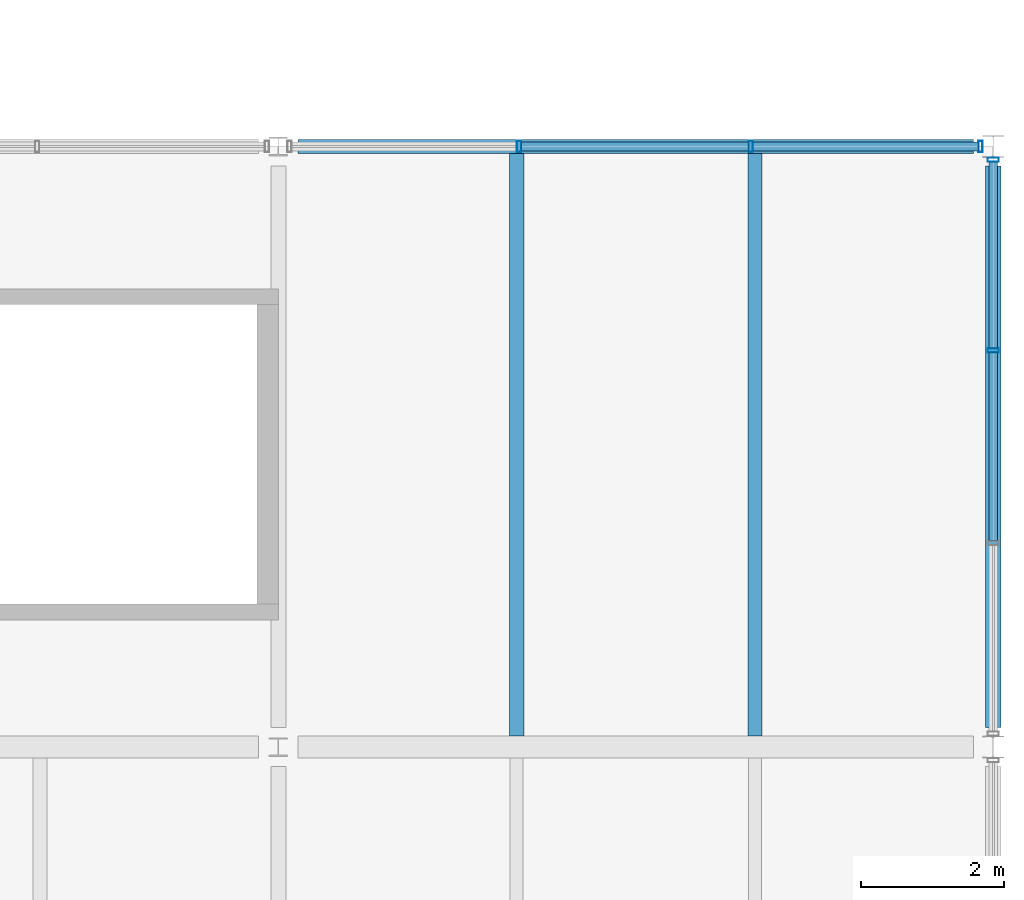
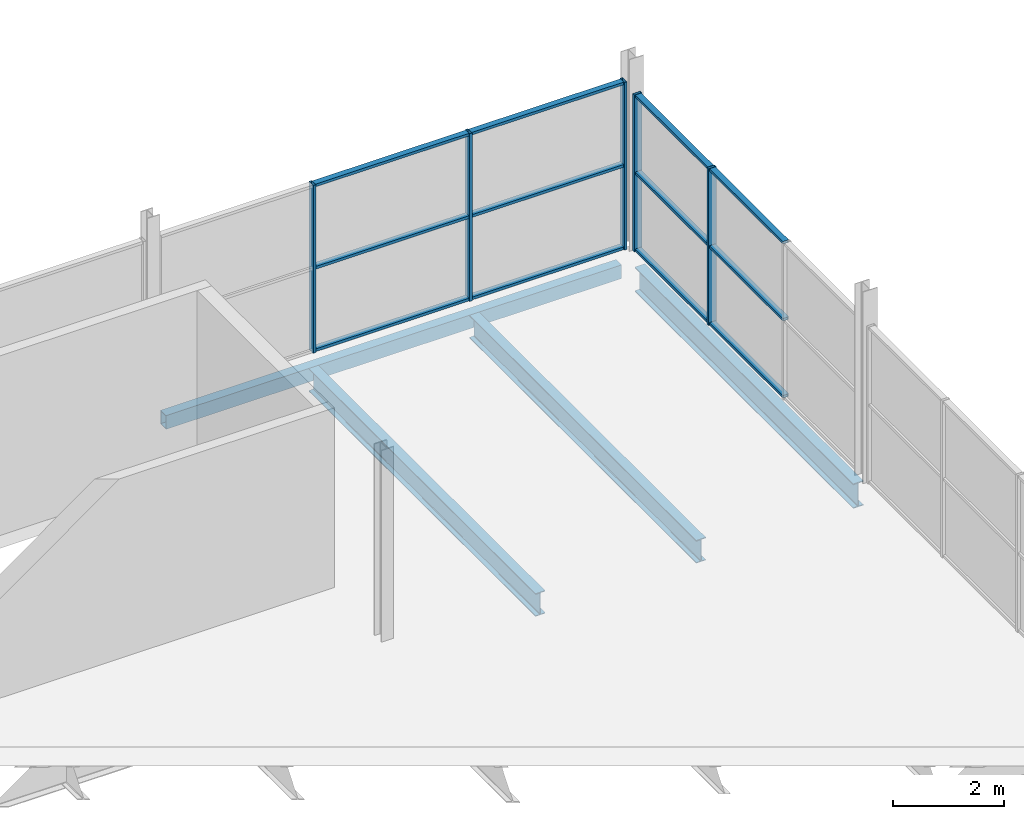
# One storey, part 121 of 161: 17 members, 4 beams, 2 elements without a shape of their own.
"""IFC4 building model written with IfcOpenShell, lengths in metres."""

from ifc_helpers import new_model, si_unit, direction, frame, origin, origin_2d, place, context, subcontext, project, spatial, hollow_rectangle, i_section, extrude, material, material_profile, profile_set, type_object, element, aggregate, save


model = new_model("IFC4")

# Units and contexts
model_context = context("Model", 3, precision=1e-05, world=origin(), true_north=direction((0.0, 1.0)))
body_context = subcontext(model_context, "Body", "Model", "MODEL_VIEW")
ifc_project = project(units=[si_unit("LENGTHUNIT", "METRE"), si_unit("AREAUNIT", "SQUARE_METRE"), si_unit("VOLUMEUNIT", "CUBIC_METRE"), si_unit("PLANEANGLEUNIT", "RADIAN"), si_unit("MASSUNIT", "GRAM", prefix="KILO"), si_unit("THERMODYNAMICTEMPERATUREUNIT", "KELVIN")], contexts=[model_context])

# Site, building, storey
site_placement = place(None, origin())
site = spatial("IfcSite", under=ifc_project, at=site_placement, CompositionType="ELEMENT")
building_placement = place(site_placement, origin())
building = spatial("IfcBuilding", under=site, at=building_placement, Name="Nduvali Passage Aquatics Centre", CompositionType="ELEMENT")
storey_placement = place(building_placement, frame((0.0, 0.0, 4.800048828125)))
storey = spatial("IfcBuildingStorey", under=building, at=storey_placement, Name="L01", CompositionType="ELEMENT", Elevation=4.800048828125)

# Curtain wall, members
ifc_material_1 = material(Name="Aluminium EN AW-6063 T6", Category="aluminium")
curtain_wall_type_1 = type_object("IfcCurtainWallType", Name="ENV-CW-FOYR", PredefinedType="NOTDEFINED", material=ifc_material_1)
curtain_wall_1_placement = place(storey_placement, origin())
curtain_wall_1 = element("IfcCurtainWall", 1, at=curtain_wall_1_placement, inside=storey, type_object=curtain_wall_type_1, Name="L01 East Avenue Entrance End Upper CW 091", PredefinedType="NOTDEFINED")
ifc_material_profile_1 = material_profile(ifc_material_1, hollow_rectangle(XDim=0.06005859375, YDim=0.159912109375, WallThickness=0.00390625, at=origin_2d()), Name="ALU MULLION 60x160x4")
ifc_profile_set_1 = profile_set([ifc_material_profile_1], Name="Aluminium EN AW-6063 T6")
member_type_1 = type_object("IfcMemberType", Name="ENV-MEM-MUL60", PredefinedType="MULLION", material=ifc_profile_set_1)
member_1_placement = place(storey_placement, frame((168.0, 89.54833984375, 0.0), z_axis=(0.0, 0.0, 1.0), x_axis=(0.0, 1.0, 0.0)))
member_1 = element("IfcMember", 2, at=member_1_placement, type_object=member_type_1, Name="East Avenue Entrance End Upper CW Mullion 3", PredefinedType="MULLION", context=body_context, shape_type="SweptSolid", body=[
    extrude(hollow_rectangle(XDim=0.06005859375, YDim=0.159912109375, WallThickness=0.00390625, at=origin_2d()), origin(), (0.0, 0.0, 1.0), 3.436279296875),
])
member_2_placement = place(storey_placement, frame((168.0, 92.215087890625, 0.0), z_axis=(0.0, 0.0, 1.0), x_axis=(0.0, 1.0, 0.0)))
member_2 = element("IfcMember", 3, at=member_2_placement, type_object=member_type_1, Name="East Avenue Entrance End Upper CW Mullion 4", PredefinedType="MULLION", context=body_context, shape_type="SweptSolid", body=[
    extrude(hollow_rectangle(XDim=0.06005859375, YDim=0.159912109375, WallThickness=0.00390625, at=origin_2d()), origin(), (0.0, 0.0, 1.0), 3.436279296875),
])

curtain_wall_type_2 = type_object("IfcCurtainWallType", Name="ENV-CW-PASS", PredefinedType="NOTDEFINED", material=ifc_material_1)
curtain_wall_2_placement = place(storey_placement, origin())
curtain_wall_2 = element("IfcCurtainWall", 4, at=curtain_wall_2_placement, inside=storey, type_object=curtain_wall_type_2, Name="L01 North Cafe Upper CW 098", PredefinedType="NOTDEFINED")
member_3_placement = place(storey_placement, frame((161.36865234375, 92.39990234375, 0.0), z_axis=(0.0, 0.0, 1.0), x_axis=(1.0, 0.0, 0.0)))
member_3 = element("IfcMember", 5, at=member_3_placement, type_object=member_type_1, Name="North Cafe Upper CW Mullion 2", PredefinedType="MULLION", context=body_context, shape_type="SweptSolid", body=[
    extrude(hollow_rectangle(XDim=0.06005859375, YDim=0.159912109375, WallThickness=0.00390625, at=origin_2d()), origin(), (0.0, 0.0, 1.0), 3.676025390625),
])
member_4_placement = place(storey_placement, frame((164.609375, 92.39990234375, 0.0), z_axis=(0.0, 0.0, 1.0), x_axis=(1.0, 0.0, 0.0)))
member_4 = element("IfcMember", 6, at=member_4_placement, type_object=member_type_1, Name="North Cafe Upper CW Mullion 3", PredefinedType="MULLION", context=body_context, shape_type="SweptSolid", body=[
    extrude(hollow_rectangle(XDim=0.06005859375, YDim=0.159912109375, WallThickness=0.00390625, at=origin_2d()), origin(), (0.0, 0.0, 1.0), 3.676025390625),
])
member_5_placement = place(storey_placement, frame((167.820068359375, 92.39990234375, 0.0), z_axis=(0.0, 0.0, 1.0), x_axis=(1.0, 0.0, 0.0)))
member_5 = element("IfcMember", 7, at=member_5_placement, type_object=member_type_1, Name="North Cafe Upper CW Mullion 4", PredefinedType="MULLION", context=body_context, shape_type="SweptSolid", body=[
    extrude(hollow_rectangle(XDim=0.06005859375, YDim=0.159912109375, WallThickness=0.00390625, at=origin_2d()), origin(), (0.0, 0.0, 1.0), 3.676025390625),
])

# Member
ifc_material_profile_2 = material_profile(ifc_material_1, hollow_rectangle(XDim=0.1201171875, YDim=0.06005859375, WallThickness=0.00390625, at=origin_2d()), Name="ALU TRANSOM 120x60x4")
ifc_profile_set_2 = profile_set([ifc_material_profile_2], Name="Aluminium EN AW-6063 T6")
member_type_2 = type_object("IfcMemberType", Name="ENV-MEM-TRN60", PredefinedType="USERDEFINED", material=ifc_profile_set_2)
member_6_placement = place(storey_placement, frame((168.0, 86.881591796875, 0.030029296875), z_axis=(0.0, 1.0, 0.0), x_axis=(-1.0, 0.0, 0.0)))
member_6 = element("IfcMember", 8, at=member_6_placement, type_object=member_type_2, Name="East Avenue Entrance End Upper CW Transom B2-R0", ObjectType="TRANSOM", PredefinedType="USERDEFINED", context=body_context, shape_type="SweptSolid", body=[
    extrude(hollow_rectangle(XDim=0.1201171875, YDim=0.06005859375, WallThickness=0.00390625, at=origin_2d()), origin(), (0.0, 0.0, 1.0), 2.63671875),
])

member_7_placement = place(storey_placement, frame((168.0, 86.881591796875, 1.71826171875), z_axis=(0.0, 1.0, 0.0), x_axis=(-1.0, 0.0, 0.0)))
member_7 = element("IfcMember", 9, at=member_7_placement, type_object=member_type_2, Name="East Avenue Entrance End Upper CW Transom B2-R1", ObjectType="TRANSOM", PredefinedType="USERDEFINED", context=body_context, shape_type="SweptSolid", body=[
    extrude(hollow_rectangle(XDim=0.1201171875, YDim=0.06005859375, WallThickness=0.00390625, at=origin_2d()), origin(), (0.0, 0.0, 1.0), 2.63671875),
])

member_8_placement = place(storey_placement, frame((168.0, 86.881591796875, 3.40625), z_axis=(0.0, 1.0, 0.0), x_axis=(-1.0, 0.0, 0.0)))
member_8 = element("IfcMember", 10, at=member_8_placement, type_object=member_type_2, Name="East Avenue Entrance End Upper CW Transom B2-R2", ObjectType="TRANSOM", PredefinedType="USERDEFINED", context=body_context, shape_type="SweptSolid", body=[
    extrude(hollow_rectangle(XDim=0.1201171875, YDim=0.06005859375, WallThickness=0.00390625, at=origin_2d()), origin(), (0.0, 0.0, 1.0), 2.63671875),
])

member_9_placement = place(storey_placement, frame((168.0, 89.578369140625, 0.030029296875), z_axis=(0.0, 1.0, 0.0), x_axis=(-1.0, 0.0, 0.0)))
member_9 = element("IfcMember", 11, at=member_9_placement, type_object=member_type_2, Name="East Avenue Entrance End Upper CW Transom B3-R0", ObjectType="TRANSOM", PredefinedType="USERDEFINED", context=body_context, shape_type="SweptSolid", body=[
    extrude(hollow_rectangle(XDim=0.1201171875, YDim=0.06005859375, WallThickness=0.00390625, at=origin_2d()), origin(), (0.0, 0.0, 1.0), 2.606689453125),
])

member_10_placement = place(storey_placement, frame((168.0, 89.578369140625, 1.71826171875), z_axis=(0.0, 1.0, 0.0), x_axis=(-1.0, 0.0, 0.0)))
member_10 = element("IfcMember", 12, at=member_10_placement, type_object=member_type_2, Name="East Avenue Entrance End Upper CW Transom B3-R1", ObjectType="TRANSOM", PredefinedType="USERDEFINED", context=body_context, shape_type="SweptSolid", body=[
    extrude(hollow_rectangle(XDim=0.1201171875, YDim=0.06005859375, WallThickness=0.00390625, at=origin_2d()), origin(), (0.0, 0.0, 1.0), 2.606689453125),
])

member_11_placement = place(storey_placement, frame((168.0, 89.578369140625, 3.40625), z_axis=(0.0, 1.0, 0.0), x_axis=(-1.0, 0.0, 0.0)))
member_11 = element("IfcMember", 13, at=member_11_placement, type_object=member_type_2, Name="East Avenue Entrance End Upper CW Transom B3-R2", ObjectType="TRANSOM", PredefinedType="USERDEFINED", context=body_context, shape_type="SweptSolid", body=[
    extrude(hollow_rectangle(XDim=0.1201171875, YDim=0.06005859375, WallThickness=0.00390625, at=origin_2d()), origin(), (0.0, 0.0, 1.0), 2.606689453125),
])

aggregate(curtain_wall_1, [member_1, member_2, member_6, member_7, member_8, member_9, member_10, member_11])

member_12_placement = place(storey_placement, frame((161.398681640625, 92.39990234375, 0.030029296875), z_axis=(1.0, 0.0, 0.0), x_axis=(0.0, 1.0, 0.0)))
member_12 = element("IfcMember", 14, at=member_12_placement, type_object=member_type_2, Name="North Cafe Upper CW Transom B2-R0", ObjectType="TRANSOM", PredefinedType="USERDEFINED", context=body_context, shape_type="SweptSolid", body=[
    extrude(hollow_rectangle(XDim=0.1201171875, YDim=0.06005859375, WallThickness=0.00390625, at=origin_2d()), origin(), (0.0, 0.0, 1.0), 3.1806640625),
])

member_13_placement = place(storey_placement, frame((161.398681640625, 92.39990234375, 1.837890625), z_axis=(1.0, 0.0, 0.0), x_axis=(0.0, 1.0, 0.0)))
member_13 = element("IfcMember", 15, at=member_13_placement, type_object=member_type_2, Name="North Cafe Upper CW Transom B2-R1", ObjectType="TRANSOM", PredefinedType="USERDEFINED", context=body_context, shape_type="SweptSolid", body=[
    extrude(hollow_rectangle(XDim=0.1201171875, YDim=0.06005859375, WallThickness=0.00390625, at=origin_2d()), origin(), (0.0, 0.0, 1.0), 3.1806640625),
])

member_14_placement = place(storey_placement, frame((161.398681640625, 92.39990234375, 3.64599609375), z_axis=(1.0, 0.0, 0.0), x_axis=(0.0, 1.0, 0.0)))
member_14 = element("IfcMember", 16, at=member_14_placement, type_object=member_type_2, Name="North Cafe Upper CW Transom B2-R2", ObjectType="TRANSOM", PredefinedType="USERDEFINED", context=body_context, shape_type="SweptSolid", body=[
    extrude(hollow_rectangle(XDim=0.1201171875, YDim=0.06005859375, WallThickness=0.00390625, at=origin_2d()), origin(), (0.0, 0.0, 1.0), 3.1806640625),
])

member_15_placement = place(storey_placement, frame((164.639404296875, 92.39990234375, 0.030029296875), z_axis=(1.0, 0.0, 0.0), x_axis=(0.0, 1.0, 0.0)))
member_15 = element("IfcMember", 17, at=member_15_placement, type_object=member_type_2, Name="North Cafe Upper CW Transom B3-R0", ObjectType="TRANSOM", PredefinedType="USERDEFINED", context=body_context, shape_type="SweptSolid", body=[
    extrude(hollow_rectangle(XDim=0.1201171875, YDim=0.06005859375, WallThickness=0.00390625, at=origin_2d()), origin(), (0.0, 0.0, 1.0), 3.150634765625),
])

member_16_placement = place(storey_placement, frame((164.639404296875, 92.39990234375, 1.837890625), z_axis=(1.0, 0.0, 0.0), x_axis=(0.0, 1.0, 0.0)))
member_16 = element("IfcMember", 18, at=member_16_placement, type_object=member_type_2, Name="North Cafe Upper CW Transom B3-R1", ObjectType="TRANSOM", PredefinedType="USERDEFINED", context=body_context, shape_type="SweptSolid", body=[
    extrude(hollow_rectangle(XDim=0.1201171875, YDim=0.06005859375, WallThickness=0.00390625, at=origin_2d()), origin(), (0.0, 0.0, 1.0), 3.150634765625),
])

member_17_placement = place(storey_placement, frame((164.639404296875, 92.39990234375, 3.64599609375), z_axis=(1.0, 0.0, 0.0), x_axis=(0.0, 1.0, 0.0)))
member_17 = element("IfcMember", 19, at=member_17_placement, type_object=member_type_2, Name="North Cafe Upper CW Transom B3-R2", ObjectType="TRANSOM", PredefinedType="USERDEFINED", context=body_context, shape_type="SweptSolid", body=[
    extrude(hollow_rectangle(XDim=0.1201171875, YDim=0.06005859375, WallThickness=0.00390625, at=origin_2d()), origin(), (0.0, 0.0, 1.0), 3.150634765625),
])

aggregate(curtain_wall_2, [member_3, member_4, member_5, member_12, member_13, member_14, member_15, member_16, member_17])

# Beams
ifc_material_2 = material(Name="Steel S355", Category="steel")
ifc_material_profile_3 = material_profile(ifc_material_2, i_section(OverallWidth=0.210693359375, OverallDepth=0.53955078125, WebThickness=0.01171875, FlangeThickness=0.018798828125, FilletRadius=0.0126953125, at=origin_2d()), Name="UKB 533x210x109")
ifc_profile_set_3 = profile_set([ifc_material_profile_3], Name="Steel S355")
beam_type_1 = type_object("IfcBeamType", Name="STR-BM-UKB533-EXT", PredefinedType="BEAM", material=ifc_profile_set_3)
beam_1_placement = place(storey_placement, frame((168.0, 84.27490234375, -0.553955078125), z_axis=(0.0, 1.0, 0.0), x_axis=(-1.0, 0.0, 0.0)))
element("IfcBeam", 20, at=beam_1_placement, inside=storey, type_object=beam_type_1, Name="L01 Primary Y-Girder B6E-0689", PredefinedType="BEAM", context=body_context, shape_type="SweptSolid", body=[
    extrude(i_section(OverallWidth=0.210693359375, OverallDepth=0.53955078125, WebThickness=0.01171875, FlangeThickness=0.018798828125, FilletRadius=0.0126953125, at=origin_2d()), origin(), (0.0, 0.0, 1.0), 7.85009765625),
])
ifc_material_profile_4 = material_profile(ifc_material_2, i_section(OverallWidth=0.199951171875, OverallDepth=0.5, WebThickness=0.01025390625, FlangeThickness=0.01611328125, FilletRadius=0.02099609375, at=origin_2d()), Name="IPE 500")
ifc_profile_set_4 = profile_set([ifc_material_profile_4], Name="Steel S355")
beam_type_2 = type_object("IfcBeamType", Name="STR-JST-IPE500", PredefinedType="JOIST", material=ifc_profile_set_4)
for number, where, z_axis, x_axis, name in (
    (21, (161.333251953125, 84.15234375, -0.533935546875), (0.0, 1.0, 0.0), (-1.0, 0.0, 0.0), "L01 Secondary Joist J5A-0815"),
    (22, (164.666748046875, 84.15234375, -0.533935546875), (0.0, 1.0, 0.0), (-1.0, 0.0, 0.0), "L01 Secondary Joist J5A-0816"),
):
    element("IfcBeam", number, at=place(storey_placement, frame(where, z_axis=z_axis, x_axis=x_axis)), inside=storey, type_object=beam_type_2, Name=name, PredefinedType="JOIST", context=body_context, shape_type="SweptSolid", body=[
        extrude(i_section(OverallWidth=0.199951171875, OverallDepth=0.5, WebThickness=0.01025390625, FlangeThickness=0.01611328125, FilletRadius=0.02099609375, at=origin_2d()), origin(), (0.0, 0.0, 1.0), 8.147705078125),
    ])
ifc_material_profile_5 = material_profile(ifc_material_2, hollow_rectangle(XDim=0.199951171875, YDim=0.300048828125, WallThickness=0.010009765625, at=origin_2d()), Name="RHS 300x200x10.0")
ifc_profile_set_5 = profile_set([ifc_material_profile_5], Name="Steel S355")
beam_type_3 = type_object("IfcBeamType", Name="STR-SPN-RHS300-EXT", PredefinedType="SPANDREL", material=ifc_profile_set_5)
beam_2_placement = place(storey_placement, frame((158.27490234375, 92.39990234375, -0.43408203125), z_axis=(1.0, 0.0, 0.0), x_axis=(0.0, 1.0, 0.0)))
element("IfcBeam", 23, at=beam_2_placement, inside=storey, type_object=beam_type_3, Name="L01 Primary X-Girder SP3E-0536", PredefinedType="SPANDREL", context=body_context, shape_type="SweptSolid", body=[
    extrude(hollow_rectangle(XDim=0.199951171875, YDim=0.300048828125, WallThickness=0.010009765625, at=origin_2d()), origin(), (0.0, 0.0, 1.0), 9.4501953125),
])

save(model, "model.ifc")
